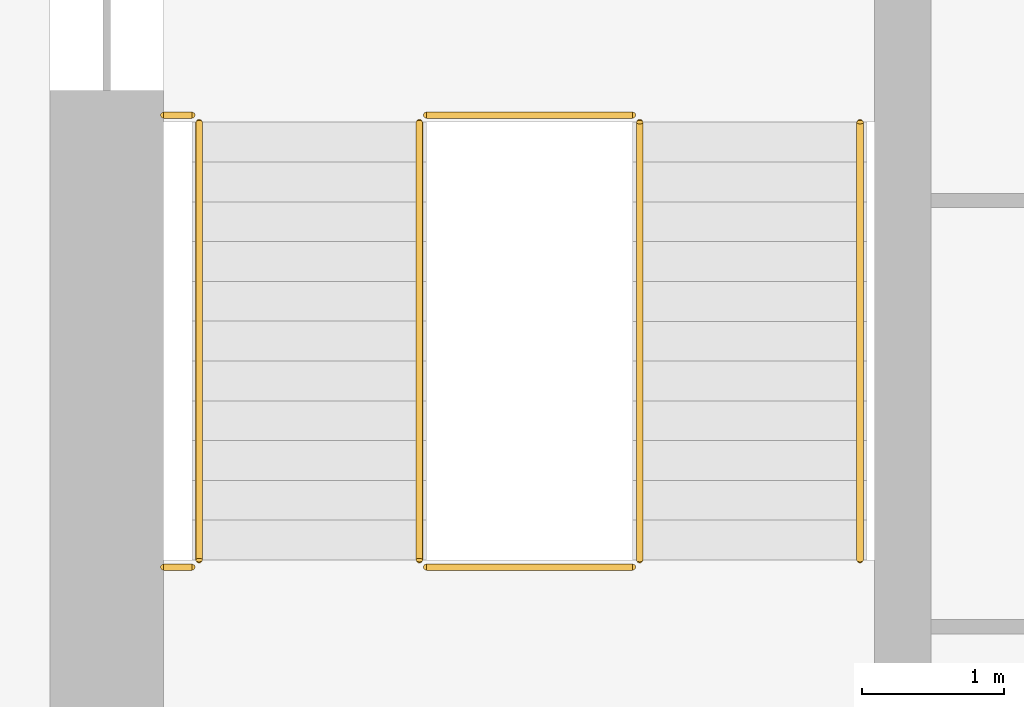
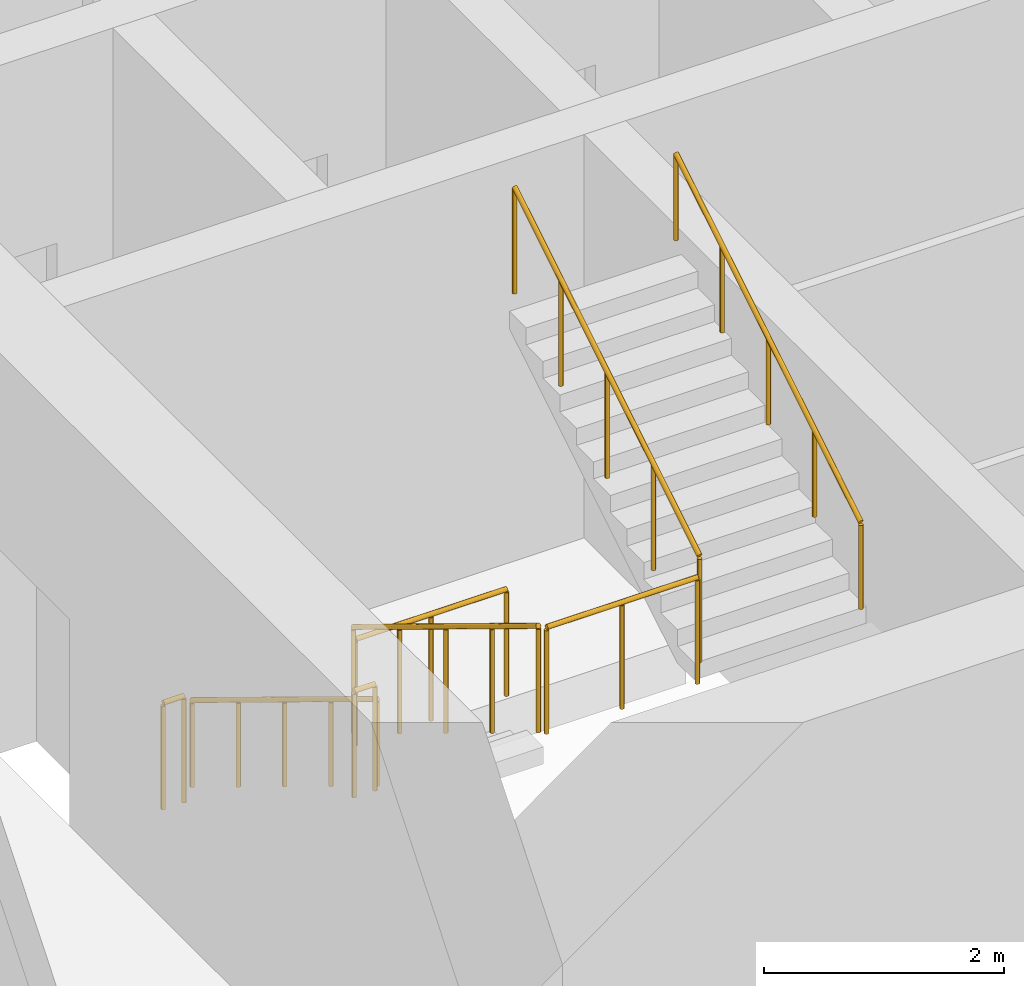
# One storey, part 10 of 16: 8 railings.
"""IFC4 building model written with IfcOpenShell, lengths in metres."""

from ifc_helpers import new_model, si_unit, direction, frame, origin, origin_2d, place, context, subcontext, project, spatial, circle, extrude, material, type_object, element, save


model = new_model("IFC4")

# Units and contexts
model_context = context("Model", 3, precision=1e-05, world=origin(), true_north=direction((0.0, 1.0)))
body_context = subcontext(model_context, "Body", "Model", "MODEL_VIEW")
ifc_project = project(units=[si_unit("LENGTHUNIT", "METRE"), si_unit("AREAUNIT", "SQUARE_METRE"), si_unit("VOLUMEUNIT", "CUBIC_METRE"), si_unit("PLANEANGLEUNIT", "RADIAN"), si_unit("MASSUNIT", "GRAM", prefix="KILO")], contexts=[model_context])

# Site, building, storey
site_placement = place(None, origin())
site = spatial("IfcSite", under=ifc_project, at=site_placement, CompositionType="ELEMENT")
building_placement = place(site_placement, origin())
building = spatial("IfcBuilding", under=site, at=building_placement, Name="Corbel Stack Research Tower", CompositionType="ELEMENT")
storey_placement = place(building_placement, frame((0.0, 0.0, 195.60009765625)))
storey = spatial("IfcBuildingStorey", under=building, at=storey_placement, Name="L44", CompositionType="ELEMENT", Elevation=195.60009765625)

# Railings
ifc_material_1 = material(Name="Steel S355", Category="steel")
railing_type_1 = type_object("IfcRailingType", Name="Stair guard 1100", PredefinedType="GUARDRAIL", material=ifc_material_1)
railing_1_placement = place(storey_placement, frame((-7.89990234375, -2.39990234375, 0.170654296875)))
element("IfcRailing", 1, at=railing_1_placement, inside=storey, type_object=railing_type_1, Name="L44 ST-W1 stair guard 1", PredefinedType="GUARDRAIL", context=body_context, shape_type="SweptSolid", body=[
    extrude(circle(Radius=0.02392578125, at=origin_2d()), frame((0.0, 0.0, 1.076171875), z_axis=(0.0, -0.853666305674, 0.52082035152), x_axis=(1.0, 0.0, 0.0)), (0.0, 0.0, 1.0), 3.608154296875),
    extrude(circle(Radius=0.02099609375, at=origin_2d()), origin(), (0.0, 0.0, 1.0), 1.052001953125),
    extrude(circle(Radius=0.02099609375, at=origin_2d()), frame((0.0, -0.77001953125, 0.4697265625)), (0.0, 0.0, 1.0), 1.052001953125),
    extrude(circle(Radius=0.02099609375, at=origin_2d()), frame((0.0, -1.5400390625, 0.939453125)), (0.0, 0.0, 1.0), 1.052001953125),
    extrude(circle(Radius=0.02099609375, at=origin_2d()), frame((0.0, -2.31005859375, 1.409423828125)), (0.0, 0.0, 1.0), 1.052001953125),
    extrude(circle(Radius=0.02099609375, at=origin_2d()), frame((0.0, -3.080078125, 1.879150390625)), (0.0, 0.0, 1.0), 1.052001953125),
])
railing_2_placement = place(storey_placement, frame((-7.85009765625, -5.530029296875, 2.0498046875)))
element("IfcRailing", 2, at=railing_2_placement, inside=storey, type_object=railing_type_1, Name="L44 ST-W1 stair guard 2", PredefinedType="GUARDRAIL", context=body_context, shape_type="SweptSolid", body=[
    extrude(circle(Radius=0.02392578125, at=origin_2d()), frame((0.0, 0.0, 1.076171875), z_axis=(1.0, 0.0, 0.0), x_axis=(0.0, 1.0, 0.0)), (0.0, 0.0, 1.0), 1.4501953125),
    extrude(circle(Radius=0.02099609375, at=origin_2d()), origin(), (0.0, 0.0, 1.0), 1.052001953125),
    extrude(circle(Radius=0.02099609375, at=origin_2d()), frame((0.72509765625, 0.0, 0.0)), (0.0, 0.0, 1.0), 1.052001953125),
    extrude(circle(Radius=0.02099609375, at=origin_2d()), frame((1.4501953125, 0.0, 0.0)), (0.0, 0.0, 1.0), 1.052001953125),
])
railing_3_placement = place(storey_placement, frame((-9.699951171875, -5.530029296875, 2.0498046875)))
element("IfcRailing", 3, at=railing_3_placement, inside=storey, type_object=railing_type_1, Name="L44 ST-W1 stair guard 3", PredefinedType="GUARDRAIL", context=body_context, shape_type="SweptSolid", body=[
    extrude(circle(Radius=0.02392578125, at=origin_2d()), frame((0.0, 0.0, 1.076171875), z_axis=(1.0, 0.0, 0.0), x_axis=(0.0, 1.0, 0.0)), (0.0, 0.0, 1.0), 0.199951171875),
    extrude(circle(Radius=0.02099609375, at=origin_2d()), origin(), (0.0, 0.0, 1.0), 1.052001953125),
    extrude(circle(Radius=0.02099609375, at=origin_2d()), frame((0.199951171875, 0.0, 0.0)), (0.0, 0.0, 1.0), 1.052001953125),
])
railing_4_placement = place(storey_placement, frame((-6.35009765625, -5.47998046875, 2.220703125)))
element("IfcRailing", 4, at=railing_4_placement, inside=storey, type_object=railing_type_1, Name="L44 ST-W1 stair guard 4", PredefinedType="GUARDRAIL", context=body_context, shape_type="SweptSolid", body=[
    extrude(circle(Radius=0.02392578125, at=origin_2d()), frame((0.0, 0.0, 1.076171875), z_axis=(0.0, 0.853666305674, 0.52082035152), x_axis=(-1.0, 0.0, 0.0)), (0.0, 0.0, 1.0), 3.608154296875),
    extrude(circle(Radius=0.02099609375, at=origin_2d()), origin(), (0.0, 0.0, 1.0), 1.052001953125),
    extrude(circle(Radius=0.02099609375, at=origin_2d()), frame((0.0, 0.77001953125, 0.4697265625)), (0.0, 0.0, 1.0), 1.052001953125),
    extrude(circle(Radius=0.02099609375, at=origin_2d()), frame((0.0, 1.5400390625, 0.939453125)), (0.0, 0.0, 1.0), 1.052001953125),
    extrude(circle(Radius=0.02099609375, at=origin_2d()), frame((0.0, 2.31005859375, 1.409423828125)), (0.0, 0.0, 1.0), 1.052001953125),
    extrude(circle(Radius=0.02099609375, at=origin_2d()), frame((0.0, 3.080078125, 1.879150390625)), (0.0, 0.0, 1.0), 1.052001953125),
])
railing_5_placement = place(storey_placement, frame((-7.85009765625, -2.35009765625, 0.0)))
element("IfcRailing", 5, at=railing_5_placement, inside=storey, type_object=railing_type_1, Name="L44 ST-W1 stair guard 5", PredefinedType="GUARDRAIL", context=body_context, shape_type="SweptSolid", body=[
    extrude(circle(Radius=0.02392578125, at=origin_2d()), frame((0.0, 0.0, 1.076171875), z_axis=(1.0, 0.0, 0.0), x_axis=(0.0, 1.0, 0.0)), (0.0, 0.0, 1.0), 1.4501953125),
    extrude(circle(Radius=0.02099609375, at=origin_2d()), origin(), (0.0, 0.0, 1.0), 1.052001953125),
    extrude(circle(Radius=0.02099609375, at=origin_2d()), frame((0.72509765625, 0.0, 0.0)), (0.0, 0.0, 1.0), 1.052001953125),
    extrude(circle(Radius=0.02099609375, at=origin_2d()), frame((1.4501953125, 0.0, 0.0)), (0.0, 0.0, 1.0), 1.052001953125),
])
railing_6_placement = place(storey_placement, frame((-9.699951171875, -2.35009765625, 0.0)))
element("IfcRailing", 6, at=railing_6_placement, inside=storey, type_object=railing_type_1, Name="L44 ST-W1 stair guard 6", PredefinedType="GUARDRAIL", context=body_context, shape_type="SweptSolid", body=[
    extrude(circle(Radius=0.02392578125, at=origin_2d()), frame((0.0, 0.0, 1.076171875), z_axis=(1.0, 0.0, 0.0), x_axis=(0.0, 1.0, 0.0)), (0.0, 0.0, 1.0), 0.199951171875),
    extrude(circle(Radius=0.02099609375, at=origin_2d()), origin(), (0.0, 0.0, 1.0), 1.052001953125),
    extrude(circle(Radius=0.02099609375, at=origin_2d()), frame((0.199951171875, 0.0, 0.0)), (0.0, 0.0, 1.0), 1.052001953125),
])
ifc_material_2 = material(Name="Steel S355", Category="steel")
railing_type_2 = type_object("IfcRailingType", Name="Stair handrail 900", PredefinedType="HANDRAIL", material=ifc_material_2)
railing_7_placement = place(storey_placement, frame((-9.449951171875, -2.39990234375, 0.170654296875)))
element("IfcRailing", 7, at=railing_7_placement, inside=storey, type_object=railing_type_2, Name="L44 ST-W1 stair handrail 1", PredefinedType="HANDRAIL", context=body_context, shape_type="SweptSolid", body=[
    extrude(circle(Radius=0.02392578125, at=origin_2d()), frame((0.0, 0.0, 0.8759765625), z_axis=(0.0, -0.853666305674, 0.52082035152), x_axis=(1.0, 0.0, 0.0)), (0.0, 0.0, 1.0), 3.608154296875),
    extrude(circle(Radius=0.02099609375, at=origin_2d()), origin(), (0.0, 0.0, 1.0), 0.851806640625),
    extrude(circle(Radius=0.02099609375, at=origin_2d()), frame((0.0, -0.77001953125, 0.4697265625)), (0.0, 0.0, 1.0), 0.851806640625),
    extrude(circle(Radius=0.02099609375, at=origin_2d()), frame((0.0, -1.5400390625, 0.939453125)), (0.0, 0.0, 1.0), 0.851806640625),
    extrude(circle(Radius=0.02099609375, at=origin_2d()), frame((0.0, -2.31005859375, 1.409423828125)), (0.0, 0.0, 1.0), 0.851806640625),
    extrude(circle(Radius=0.02099609375, at=origin_2d()), frame((0.0, -3.080078125, 1.879150390625)), (0.0, 0.0, 1.0), 0.851806640625),
])
railing_8_placement = place(storey_placement, frame((-4.800048828125, -5.47998046875, 2.220703125)))
element("IfcRailing", 8, at=railing_8_placement, inside=storey, type_object=railing_type_2, Name="L44 ST-W1 stair handrail 2", PredefinedType="HANDRAIL", context=body_context, shape_type="SweptSolid", body=[
    extrude(circle(Radius=0.02392578125, at=origin_2d()), frame((0.0, 0.0, 0.8759765625), z_axis=(0.0, 0.853666305674, 0.52082035152), x_axis=(-1.0, 0.0, 0.0)), (0.0, 0.0, 1.0), 3.608154296875),
    extrude(circle(Radius=0.02099609375, at=origin_2d()), origin(), (0.0, 0.0, 1.0), 0.851806640625),
    extrude(circle(Radius=0.02099609375, at=origin_2d()), frame((0.0, 0.77001953125, 0.4697265625)), (0.0, 0.0, 1.0), 0.851806640625),
    extrude(circle(Radius=0.02099609375, at=origin_2d()), frame((0.0, 1.5400390625, 0.939453125)), (0.0, 0.0, 1.0), 0.851806640625),
    extrude(circle(Radius=0.02099609375, at=origin_2d()), frame((0.0, 2.31005859375, 1.409423828125)), (0.0, 0.0, 1.0), 0.851806640625),
    extrude(circle(Radius=0.02099609375, at=origin_2d()), frame((0.0, 3.080078125, 1.879150390625)), (0.0, 0.0, 1.0), 0.851806640625),
])

save(model, "model.ifc")
